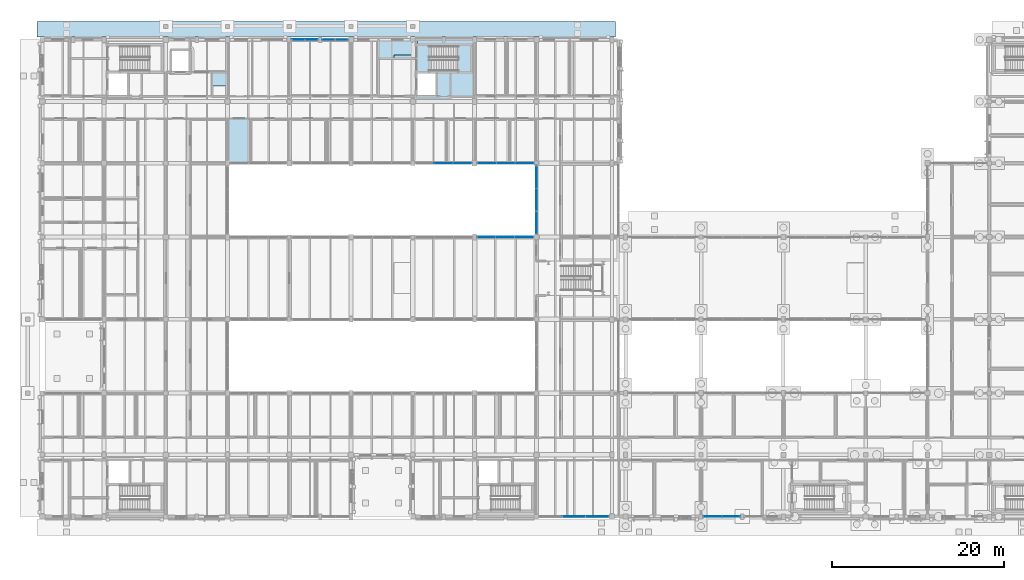
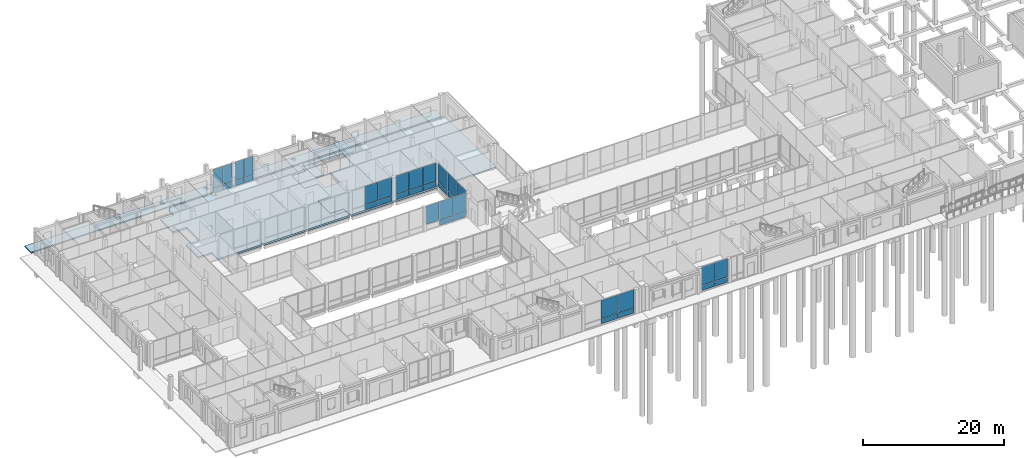
# One storey, part 65 of 104: 37 plates, 5 slabs, 9 elements without a shape of their own.
"""IFC4 building model written with IfcOpenShell, lengths in metres."""

from ifc_helpers import new_model, si_unit, direction, frame, origin, origin_2d, place, context, subcontext, project, spatial, polyline, rectangle, outline, extrude, material, layer, layer_set, type_object, element, aggregate, save


model = new_model("IFC4")

# Units and contexts
model_context = context("Model", 3, precision=1e-05, world=origin(), true_north=direction((0.0, 1.0)))
body_context = subcontext(model_context, "Body", "Model", "MODEL_VIEW")
ifc_project = project(units=[si_unit("LENGTHUNIT", "METRE"), si_unit("AREAUNIT", "SQUARE_METRE"), si_unit("VOLUMEUNIT", "CUBIC_METRE"), si_unit("PLANEANGLEUNIT", "RADIAN"), si_unit("MASSUNIT", "GRAM", prefix="KILO")], contexts=[model_context])

# Site, building, storey
site_placement = place(None, origin())
site = spatial("IfcSite", under=ifc_project, at=site_placement, CompositionType="ELEMENT")
building_placement = place(site_placement, origin())
building = spatial("IfcBuilding", under=site, at=building_placement, Name="Hawrajan Terrace Health Centre", CompositionType="ELEMENT")
storey_placement = place(building_placement, origin())
storey = spatial("IfcBuildingStorey", under=building, at=storey_placement, Name="L00", CompositionType="ELEMENT", Elevation=0.0)

# Curtain wall, plates
ifc_material_1 = material(Name="Anodized bronze aluminium and low-E solar glazing", Category="aluminium")
curtain_wall_type_1 = type_object("IfcCurtainWallType", Name="CW_Court_SeriesB2", PredefinedType="USERDEFINED", material=ifc_material_1)
curtain_wall_1_placement = place(storey_placement, origin())
curtain_wall_1 = element("IfcCurtainWall", 1, at=curtain_wall_1_placement, inside=storey, type_object=curtain_wall_type_1, Name="Curtain wall CW-L00-029", ObjectType="UNITISED CURTAIN WALL", PredefinedType="USERDEFINED")
ifc_material_2 = material(Name="Diffused north-light insulated glazing", Category="glass")
ifc_layer_1 = layer(ifc_material_2, 0.031982421875)
ifc_layer_set_1 = layer_set([ifc_layer_1], Name="Diffused north-light insulated glazing")
plate_type_1 = type_object("IfcPlateType", Name="ClerestoryGlassPanel_32", PredefinedType="CURTAIN_PANEL", material=ifc_layer_set_1)
plate_1_placement = place(storey_placement, frame((66.574951171875, 4.199951171875, 0.981689453125), z_axis=(0.0, 0.0, 1.0), x_axis=(1.0, 0.0, 0.0)))
plate_1 = element("IfcPlate", 2, at=plate_1_placement, type_object=plate_type_1, Name="Curtain panel CW-L00-029-P2-2", PredefinedType="CURTAIN_PANEL", context=body_context, shape_type="SweptSolid", body=[
    extrude(rectangle(XDim=2.662109375, YDim=0.031982421875, at=origin_2d()), origin(), (0.0, 0.0, 1.0), 3.1494140625),
])
plate_2_placement = place(storey_placement, frame((69.300048828125, 4.199951171875, 0.981689453125), z_axis=(0.0, 0.0, 1.0), x_axis=(1.0, 0.0, 0.0)))
plate_2 = element("IfcPlate", 3, at=plate_2_placement, type_object=plate_type_1, Name="Curtain panel CW-L00-029-P3-2", PredefinedType="CURTAIN_PANEL", context=body_context, shape_type="SweptSolid", body=[
    extrude(rectangle(XDim=2.662109375, YDim=0.031982421875, at=origin_2d()), origin(), (0.0, 0.0, 1.0), 3.1494140625),
])

curtain_wall_type_2 = type_object("IfcCurtainWallType", Name="CW_CourtNS_SeriesC2", PredefinedType="USERDEFINED", material=ifc_material_1)
curtain_wall_2_placement = place(storey_placement, origin())
curtain_wall_2 = element("IfcCurtainWall", 4, at=curtain_wall_2_placement, inside=storey, type_object=curtain_wall_type_2, Name="Curtain wall CW-L00-032", ObjectType="UNITISED CURTAIN WALL", PredefinedType="USERDEFINED")
plate_3_placement = place(storey_placement, frame((62.199951171875, 38.466796875, 0.981689453125), z_axis=(0.0, 0.0, 1.0), x_axis=(0.0, 1.0, 0.0)))
plate_3 = element("IfcPlate", 5, at=plate_3_placement, type_object=plate_type_1, Name="Curtain panel CW-L00-032-P1-2", PredefinedType="CURTAIN_PANEL", context=body_context, shape_type="SweptSolid", body=[
    extrude(rectangle(XDim=2.59521484375, YDim=0.031982421875, at=origin_2d()), origin(), (0.0, 0.0, 1.0), 3.1494140625),
])
plate_4_placement = place(storey_placement, frame((62.199951171875, 41.125, 0.981689453125), z_axis=(0.0, 0.0, 1.0), x_axis=(0.0, 1.0, 0.0)))
plate_4 = element("IfcPlate", 6, at=plate_4_placement, type_object=plate_type_1, Name="Curtain panel CW-L00-032-P2-2", PredefinedType="CURTAIN_PANEL", context=body_context, shape_type="SweptSolid", body=[
    extrude(rectangle(XDim=2.59521484375, YDim=0.031982421875, at=origin_2d()), origin(), (0.0, 0.0, 1.0), 3.1494140625),
])
plate_5_placement = place(storey_placement, frame((62.199951171875, 43.783203125, 0.981689453125), z_axis=(0.0, 0.0, 1.0), x_axis=(0.0, 1.0, 0.0)))
plate_5 = element("IfcPlate", 7, at=plate_5_placement, type_object=plate_type_1, Name="Curtain panel CW-L00-032-P3-2", PredefinedType="CURTAIN_PANEL", context=body_context, shape_type="SweptSolid", body=[
    extrude(rectangle(XDim=2.59521484375, YDim=0.031982421875, at=origin_2d()), origin(), (0.0, 0.0, 1.0), 3.1494140625),
])

# Slabs
ifc_material_3 = material(Name="Concrete C40/50", Category="concrete")
ifc_layer_2 = layer(ifc_material_3, 0.300048828125)
ifc_layer_set_2 = layer_set([ifc_layer_2], Name="Concrete C40/50")
slab_type_1 = type_object("IfcSlabType", Name="PodiumSlab_RC300", PredefinedType="FLOOR", material=ifc_layer_set_2)
slab_1_placement = place(storey_placement, frame((0.0, 0.0, -0.300048828125)))
element("IfcSlab", 8, at=slab_1_placement, inside=storey, type_object=slab_type_1, Name="Structural slab SL-L00-W-V2-Z1-1", PredefinedType="FLOOR", context=body_context, shape_type="SweptSolid", body=[
    extrude(outline(polyline([(26.47998046875, 59.52001953125), (26.47998046875, 59.800048828125), (33.39990234375, 59.800048828125), (33.39990234375, 59.25), (33.949951171875, 59.25), (33.949951171875, 59.800048828125), (40.60009765625, 59.800048828125), (40.60009765625, 59.52001953125), (40.8798828125, 59.52001953125), (40.8798828125, 59.800048828125), (47.800048828125, 59.800048828125), (47.800048828125, 59.25), (47.800048828125, 58.0), (45.60009765625, 58.0), (45.60009765625, 54.39990234375), (47.800048828125, 54.39990234375), (47.800048828125, 52.60009765625), (47.800048828125, 50.800048828125), (45.60009765625, 50.800048828125), (45.60009765625, 47.199951171875), (47.800048828125, 47.199951171875), (47.800048828125, 45.679931640625), (47.800048828125, 45.39990234375), (40.60009765625, 45.39990234375), (33.679931640625, 45.39990234375), (33.679931640625, 45.679931640625), (33.39990234375, 45.679931640625), (33.39990234375, 45.39990234375), (26.201904296875, 45.39990234375), (26.201904296875, 45.402099609375), (26.201904296875, 47.201904296875), (24.001953125, 47.201904296875), (24.001953125, 50.798095703125), (26.201904296875, 50.798095703125), (26.201904296875, 54.402099609375), (24.001953125, 54.402099609375), (24.001953125, 57.998046875), (26.201904296875, 57.998046875), (26.201904296875, 59.52001953125), (26.47998046875, 59.52001953125)])), origin(), (0.0, 0.0, 1.0), 0.300048828125),
])
slab_2_placement = place(storey_placement, frame((0.0, 0.0, -0.300048828125)))
element("IfcSlab", 9, at=slab_2_placement, inside=storey, type_object=slab_type_1, Name="Structural slab SL-L00-W-V2-Z2-1", PredefinedType="FLOOR", context=body_context, shape_type="SweptSolid", body=[
    extrude(outline(polyline([(48.35009765625, 59.25), (48.35009765625, 59.800048828125), (55.0, 59.800048828125), (55.0, 59.52001953125), (55.280029296875, 59.52001953125), (55.280029296875, 59.800048828125), (62.199951171875, 59.800048828125), (71.794921875, 59.800048828125), (71.794921875, 52.60009765625), (71.794921875, 45.402099609375), (62.47998046875, 45.402099609375), (62.47998046875, 45.679931640625), (62.199951171875, 45.679931640625), (62.199951171875, 45.402099609375), (62.197998046875, 45.402099609375), (62.197998046875, 45.39990234375), (55.0, 45.39990234375), (48.080078125, 45.39990234375), (48.080078125, 45.679931640625), (47.802001953125, 45.679931640625), (47.802001953125, 47.201904296875), (45.60205078125, 47.201904296875), (45.60205078125, 50.798095703125), (47.802001953125, 50.798095703125), (47.802001953125, 54.402099609375), (45.60205078125, 54.402099609375), (45.60205078125, 57.998046875), (47.802001953125, 57.998046875), (47.802001953125, 59.25), (48.35009765625, 59.25)]), holes=[polyline([(48.199951171875, 59.199951171875), (48.199951171875, 56.0), (48.199951171875, 53.199951171875), (50.60009765625, 53.199951171875), (50.60009765625, 56.0), (54.60009765625, 56.0), (54.60009765625, 59.199951171875), (48.199951171875, 59.199951171875)])]), origin(), (0.0, 0.0, 1.0), 0.300048828125),
])
ifc_layer_3 = layer(ifc_material_3, 0.199951171875)
ifc_layer_set_3 = layer_set([ifc_layer_3], Name="Concrete C40/50")
slab_type_2 = type_object("IfcSlabType", Name="SiteApronPaving_RC200", PredefinedType="BASESLAB", material=ifc_layer_set_3)
slab_3_placement = place(storey_placement, frame((0.0, 0.0, -0.199951171875)))
element("IfcSlab", 10, at=slab_3_placement, inside=storey, type_object=slab_type_2, Name="North-west colonnade arrival apron APRON-L00-NW", PredefinedType="BASESLAB", context=body_context, shape_type="SweptSolid", body=[
    extrude(outline(polyline([(4.0, 60.110107421875), (71.449951171875, 60.110107421875), (71.449951171875, 61.949951171875), (4.0, 61.949951171875), (4.0, 60.110107421875)]), holes=[polyline([(18.719970703125, 61.070068359375), (19.280029296875, 61.070068359375), (19.280029296875, 61.6298828125), (18.719970703125, 61.6298828125), (18.719970703125, 61.070068359375)]), polyline([(25.919921875, 61.070068359375), (26.47998046875, 61.070068359375), (26.47998046875, 61.6298828125), (25.919921875, 61.6298828125), (25.919921875, 61.070068359375)]), polyline([(33.1201171875, 61.070068359375), (33.679931640625, 61.070068359375), (33.679931640625, 61.6298828125), (33.1201171875, 61.6298828125), (33.1201171875, 61.070068359375)]), polyline([(40.320068359375, 61.070068359375), (40.8798828125, 61.070068359375), (40.8798828125, 61.6298828125), (40.320068359375, 61.6298828125), (40.320068359375, 61.070068359375)]), polyline([(47.52001953125, 61.070068359375), (48.080078125, 61.070068359375), (48.080078125, 61.6298828125), (47.52001953125, 61.6298828125), (47.52001953125, 61.070068359375)])]), origin(), (0.0, 0.0, 1.0), 0.199951171875),
])

# Curtain wall, plates
curtain_wall_type_3 = type_object("IfcCurtainWallType", Name="CW_Clerestory_SeriesG1", PredefinedType="USERDEFINED", material=ifc_material_1)
curtain_wall_3_placement = place(storey_placement, origin())
curtain_wall_3 = element("IfcCurtainWall", 11, at=curtain_wall_3_placement, inside=storey, type_object=curtain_wall_type_3, Name="Curtain wall CW-L00-016", ObjectType="UNITISED CURTAIN WALL", PredefinedType="USERDEFINED")
ifc_material_4 = material(Name="Insulated anodized bronze spandrel panel")
ifc_layer_4 = layer(ifc_material_4, 0.048095703125)
ifc_layer_set_4 = layer_set([ifc_layer_4], Name="Insulated anodized bronze spandrel panel")
plate_type_2 = type_object("IfcPlateType", Name="SpandrelPanel_Bronze48", PredefinedType="CURTAIN_PANEL", material=ifc_layer_set_4)
plate_6_placement = place(storey_placement, frame((37.9912109375, 59.800048828125, 0.05908203125), z_axis=(0.0, 0.0, 1.0), x_axis=(1.0, 0.0, 0.0)))
plate_6 = element("IfcPlate", 12, at=plate_6_placement, type_object=plate_type_2, Name="Curtain panel CW-L00-016-P1-1", PredefinedType="CURTAIN_PANEL", context=body_context, shape_type="SweptSolid", body=[
    extrude(rectangle(XDim=1.464599609375, YDim=0.048095703125, at=origin_2d()), origin(), (0.0, 0.0, 1.0), 0.864501953125),
])
plate_7_placement = place(storey_placement, frame((39.5087890625, 59.800048828125, 0.05908203125), z_axis=(0.0, 0.0, 1.0), x_axis=(1.0, 0.0, 0.0)))
plate_7 = element("IfcPlate", 13, at=plate_7_placement, type_object=plate_type_2, Name="Curtain panel CW-L00-016-P2-1", PredefinedType="CURTAIN_PANEL", context=body_context, shape_type="SweptSolid", body=[
    extrude(rectangle(XDim=1.464599609375, YDim=0.048095703125, at=origin_2d()), origin(), (0.0, 0.0, 1.0), 0.864501953125),
])

curtain_wall_type_4 = type_object("IfcCurtainWallType", Name="CW_Diagnostic_SeriesM2", PredefinedType="USERDEFINED", material=ifc_material_1)
curtain_wall_4_placement = place(storey_placement, origin())
curtain_wall_4 = element("IfcCurtainWall", 14, at=curtain_wall_4_placement, inside=storey, type_object=curtain_wall_type_4, Name="Curtain wall CW-L00-024", ObjectType="UNITISED CURTAIN WALL", PredefinedType="USERDEFINED")
plate_8_placement = place(storey_placement, frame((51.375, 45.39990234375, 0.05908203125), z_axis=(0.0, 0.0, 1.0), x_axis=(1.0, 0.0, 0.0)))
plate_8 = element("IfcPlate", 15, at=plate_8_placement, type_object=plate_type_2, Name="Curtain panel CW-L00-024-P2-1", PredefinedType="CURTAIN_PANEL", context=body_context, shape_type="SweptSolid", body=[
    extrude(rectangle(XDim=2.14208984375, YDim=0.048095703125, at=origin_2d()), origin(), (0.0, 0.0, 1.0), 0.864501953125),
])
plate_9_placement = place(storey_placement, frame((53.570068359375, 45.39990234375, 0.05908203125), z_axis=(0.0, 0.0, 1.0), x_axis=(1.0, 0.0, 0.0)))
plate_9 = element("IfcPlate", 16, at=plate_9_placement, type_object=plate_type_2, Name="Curtain panel CW-L00-024-P3-1", PredefinedType="CURTAIN_PANEL", context=body_context, shape_type="SweptSolid", body=[
    extrude(rectangle(XDim=2.14208984375, YDim=0.048095703125, at=origin_2d()), origin(), (0.0, 0.0, 1.0), 0.864501953125),
])

curtain_wall_type_5 = type_object("IfcCurtainWallType", Name="CW_Court_SeriesB1", PredefinedType="USERDEFINED", material=ifc_material_1)
curtain_wall_5_placement = place(storey_placement, origin())
curtain_wall_5 = element("IfcCurtainWall", 17, at=curtain_wall_5_placement, inside=storey, type_object=curtain_wall_type_5, Name="Curtain wall CW-L00-028", ObjectType="UNITISED CURTAIN WALL", PredefinedType="USERDEFINED")
plate_10_placement = place(storey_placement, frame((56.429931640625, 45.39990234375, 0.05908203125), z_axis=(0.0, 0.0, 1.0), x_axis=(1.0, 0.0, 0.0)))
plate_10 = element("IfcPlate", 18, at=plate_10_placement, type_object=plate_type_2, Name="Curtain panel CW-L00-028-P1-1", PredefinedType="CURTAIN_PANEL", context=body_context, shape_type="SweptSolid", body=[
    extrude(rectangle(XDim=2.14208984375, YDim=0.048095703125, at=origin_2d()), origin(), (0.0, 0.0, 1.0), 0.864501953125),
])
plate_11_placement = place(storey_placement, frame((58.625, 45.39990234375, 0.05908203125), z_axis=(0.0, 0.0, 1.0), x_axis=(1.0, 0.0, 0.0)))
plate_11 = element("IfcPlate", 19, at=plate_11_placement, type_object=plate_type_2, Name="Curtain panel CW-L00-028-P2-1", PredefinedType="CURTAIN_PANEL", context=body_context, shape_type="SweptSolid", body=[
    extrude(rectangle(XDim=2.14208984375, YDim=0.048095703125, at=origin_2d()), origin(), (0.0, 0.0, 1.0), 0.864501953125),
])
plate_12_placement = place(storey_placement, frame((60.820068359375, 45.39990234375, 0.05908203125), z_axis=(0.0, 0.0, 1.0), x_axis=(1.0, 0.0, 0.0)))
plate_12 = element("IfcPlate", 20, at=plate_12_placement, type_object=plate_type_2, Name="Curtain panel CW-L00-028-P3-1", PredefinedType="CURTAIN_PANEL", context=body_context, shape_type="SweptSolid", body=[
    extrude(rectangle(XDim=2.14208984375, YDim=0.048095703125, at=origin_2d()), origin(), (0.0, 0.0, 1.0), 0.864501953125),
])

# Plate
plate_13_placement = place(storey_placement, frame((62.199951171875, 38.466796875, 0.06884765625), z_axis=(0.0, 0.0, 1.0), x_axis=(0.0, 1.0, 0.0)))
plate_13 = element("IfcPlate", 21, at=plate_13_placement, type_object=plate_type_2, Name="Curtain panel CW-L00-032-P1-1", PredefinedType="CURTAIN_PANEL", context=body_context, shape_type="SweptSolid", body=[
    extrude(rectangle(XDim=2.59521484375, YDim=0.048095703125, at=origin_2d()), origin(), (0.0, 0.0, 1.0), 0.849609375),
])

plate_14_placement = place(storey_placement, frame((62.199951171875, 41.125, 0.06884765625), z_axis=(0.0, 0.0, 1.0), x_axis=(0.0, 1.0, 0.0)))
plate_14 = element("IfcPlate", 22, at=plate_14_placement, type_object=plate_type_2, Name="Curtain panel CW-L00-032-P2-1", PredefinedType="CURTAIN_PANEL", context=body_context, shape_type="SweptSolid", body=[
    extrude(rectangle(XDim=2.59521484375, YDim=0.048095703125, at=origin_2d()), origin(), (0.0, 0.0, 1.0), 0.849609375),
])

plate_15_placement = place(storey_placement, frame((62.199951171875, 43.783203125, 0.06884765625), z_axis=(0.0, 0.0, 1.0), x_axis=(0.0, 1.0, 0.0)))
plate_15 = element("IfcPlate", 23, at=plate_15_placement, type_object=plate_type_2, Name="Curtain panel CW-L00-032-P3-1", PredefinedType="CURTAIN_PANEL", context=body_context, shape_type="SweptSolid", body=[
    extrude(rectangle(XDim=2.59521484375, YDim=0.048095703125, at=origin_2d()), origin(), (0.0, 0.0, 1.0), 0.849609375),
])

aggregate(curtain_wall_2, [plate_13, plate_3, plate_14, plate_4, plate_15, plate_5])

# Curtain wall, plates
curtain_wall_type_6 = type_object("IfcCurtainWallType", Name="CW_Garden_SeriesF2", PredefinedType="USERDEFINED", material=ifc_material_1)
curtain_wall_6_placement = place(storey_placement, origin())
curtain_wall_6 = element("IfcCurtainWall", 24, at=curtain_wall_6_placement, inside=storey, type_object=curtain_wall_type_6, Name="Curtain wall CW-L00-015", ObjectType="UNITISED CURTAIN WALL", PredefinedType="USERDEFINED")
ifc_material_5 = material(Name="Insulated reconstituted coral-stone spandrel", Category="masonry")
ifc_layer_5 = layer(ifc_material_5, 0.055908203125)
ifc_layer_set_5 = layer_set([ifc_layer_5], Name="Insulated reconstituted coral-stone spandrel")
plate_type_3 = type_object("IfcPlateType", Name="SpandrelPanel_Coral56", PredefinedType="CURTAIN_PANEL", material=ifc_layer_set_5)
plate_16_placement = place(storey_placement, frame((34.45361328125, 59.800048828125, 0.05908203125), z_axis=(0.0, 0.0, 1.0), x_axis=(1.0, 0.0, 0.0)))
plate_16 = element("IfcPlate", 25, at=plate_16_placement, type_object=plate_type_3, Name="Curtain panel CW-L00-015-P1-1", PredefinedType="CURTAIN_PANEL", context=body_context, shape_type="SweptSolid", body=[
    extrude(rectangle(XDim=1.489501953125, YDim=0.055908203125, at=origin_2d()), origin(), (0.0, 0.0, 1.0), 0.864501953125),
])
plate_17_placement = place(storey_placement, frame((35.99609375, 59.800048828125, 0.05908203125), z_axis=(0.0, 0.0, 1.0), x_axis=(1.0, 0.0, 0.0)))
plate_17 = element("IfcPlate", 26, at=plate_17_placement, type_object=plate_type_3, Name="Curtain panel CW-L00-015-P2-1", PredefinedType="CURTAIN_PANEL", context=body_context, shape_type="SweptSolid", body=[
    extrude(rectangle(XDim=1.489501953125, YDim=0.055908203125, at=origin_2d()), origin(), (0.0, 0.0, 1.0), 0.864501953125),
])

curtain_wall_type_7 = type_object("IfcCurtainWallType", Name="CW_Court_SeriesA3", PredefinedType="USERDEFINED", material=ifc_material_1)
curtain_wall_7_placement = place(storey_placement, origin())
curtain_wall_7 = element("IfcCurtainWall", 27, at=curtain_wall_7_placement, inside=storey, type_object=curtain_wall_type_7, Name="Curtain wall CW-L00-027", ObjectType="UNITISED CURTAIN WALL", PredefinedType="USERDEFINED")
plate_18_placement = place(storey_placement, frame((58.5625, 36.800048828125, 0.05908203125), z_axis=(0.0, 0.0, 1.0), x_axis=(1.0, 0.0, 0.0)))
plate_18 = element("IfcPlate", 28, at=plate_18_placement, type_object=plate_type_3, Name="Curtain panel CW-L00-027-P2-1", PredefinedType="CURTAIN_PANEL", context=body_context, shape_type="SweptSolid", body=[
    extrude(rectangle(XDim=2.150390625, YDim=0.055908203125, at=origin_2d()), origin(), (0.0, 0.0, 1.0), 0.864501953125),
])
plate_19_placement = place(storey_placement, frame((60.765869140625, 36.800048828125, 0.05908203125), z_axis=(0.0, 0.0, 1.0), x_axis=(1.0, 0.0, 0.0)))
plate_19 = element("IfcPlate", 29, at=plate_19_placement, type_object=plate_type_3, Name="Curtain panel CW-L00-027-P3-1", PredefinedType="CURTAIN_PANEL", context=body_context, shape_type="SweptSolid", body=[
    extrude(rectangle(XDim=2.150390625, YDim=0.055908203125, at=origin_2d()), origin(), (0.0, 0.0, 1.0), 0.864501953125),
])

# Plate
plate_20_placement = place(storey_placement, frame((66.574951171875, 4.199951171875, 0.06884765625), z_axis=(0.0, 0.0, 1.0), x_axis=(1.0, 0.0, 0.0)))
plate_20 = element("IfcPlate", 30, at=plate_20_placement, type_object=plate_type_3, Name="Curtain panel CW-L00-029-P2-1", PredefinedType="CURTAIN_PANEL", context=body_context, shape_type="SweptSolid", body=[
    extrude(rectangle(XDim=2.662109375, YDim=0.055908203125, at=origin_2d()), origin(), (0.0, 0.0, 1.0), 0.849609375),
])

plate_21_placement = place(storey_placement, frame((69.300048828125, 4.199951171875, 0.06884765625), z_axis=(0.0, 0.0, 1.0), x_axis=(1.0, 0.0, 0.0)))
plate_21 = element("IfcPlate", 31, at=plate_21_placement, type_object=plate_type_3, Name="Curtain panel CW-L00-029-P3-1", PredefinedType="CURTAIN_PANEL", context=body_context, shape_type="SweptSolid", body=[
    extrude(rectangle(XDim=2.662109375, YDim=0.055908203125, at=origin_2d()), origin(), (0.0, 0.0, 1.0), 0.849609375),
])

aggregate(curtain_wall_1, [plate_20, plate_1, plate_21, plate_2])

# Curtain wall, plates
curtain_wall_type_8 = type_object("IfcCurtainWallType", Name="CW_Pavilion_SeriesE2", PredefinedType="USERDEFINED", material=ifc_material_1)
curtain_wall_8_placement = place(storey_placement, origin())
curtain_wall_8 = element("IfcCurtainWall", 32, at=curtain_wall_8_placement, inside=storey, type_object=curtain_wall_type_8, Name="Curtain wall CW-L00-037", ObjectType="UNITISED CURTAIN WALL", PredefinedType="USERDEFINED")
plate_22_placement = place(storey_placement, frame((82.75390625, 4.199951171875, 0.05908203125), z_axis=(0.0, 0.0, 1.0), x_axis=(1.0, 0.0, 0.0)))
plate_22 = element("IfcPlate", 33, at=plate_22_placement, type_object=plate_type_3, Name="Curtain panel CW-L00-037-P1-1", PredefinedType="CURTAIN_PANEL", context=body_context, shape_type="SweptSolid", body=[
    extrude(rectangle(XDim=2.089599609375, YDim=0.055908203125, at=origin_2d()), origin(), (0.0, 0.0, 1.0), 0.864501953125),
])
plate_23_placement = place(storey_placement, frame((84.896240234375, 4.199951171875, 0.05908203125), z_axis=(0.0, 0.0, 1.0), x_axis=(1.0, 0.0, 0.0)))
plate_23 = element("IfcPlate", 34, at=plate_23_placement, type_object=plate_type_3, Name="Curtain panel CW-L00-037-P2-1", PredefinedType="CURTAIN_PANEL", context=body_context, shape_type="SweptSolid", body=[
    extrude(rectangle(XDim=2.089599609375, YDim=0.055908203125, at=origin_2d()), origin(), (0.0, 0.0, 1.0), 0.864501953125),
])

# Stair, slabs
stair_type = type_object("IfcStairType", Name="Stair_4500_W1300", PredefinedType="HALF_TURN_STAIR", material=ifc_material_3)
stair_placement = place(storey_placement, origin())
stair = element("IfcStair", 35, at=stair_placement, inside=storey, type_object=stair_type, Name="Stair ST-2-L00", PredefinedType="HALF_TURN_STAIR")
ifc_layer_6 = layer(ifc_material_3, 0.219970703125)
ifc_layer_set_6 = layer_set([ifc_layer_6], Name="Concrete C40/50")
slab_type_3 = type_object("IfcSlabType", Name="StairLanding_RC220", PredefinedType="LANDING", material=ifc_layer_set_6)
slab_4_placement = place(storey_placement, frame((0.0, 0.0, -0.219970703125)))
slab_4 = element("IfcSlab", 36, at=slab_4_placement, type_object=slab_type_3, Name="Stair floor landing ST-2-L00-L0", PredefinedType="LANDING", context=body_context, shape_type="SweptSolid", body=[
    extrude(outline(polyline([(48.199951171875, 56.0), (49.699951171875, 56.0), (49.699951171875, 59.199951171875), (48.199951171875, 59.199951171875), (48.199951171875, 56.0)])), origin(), (0.0, 0.0, 1.0), 0.219970703125),
])
slab_5_placement = place(storey_placement, frame((0.0, 0.0, 2.030029296875)))
slab_5 = element("IfcSlab", 37, at=slab_5_placement, type_object=slab_type_3, Name="Stair half landing ST-2-L00-L1", PredefinedType="LANDING", context=body_context, shape_type="SweptSolid", body=[
    extrude(outline(polyline([(53.10009765625, 56.0), (54.60009765625, 56.0), (54.60009765625, 59.199951171875), (53.10009765625, 59.199951171875), (53.10009765625, 56.0)])), origin(), (0.0, 0.0, 1.0), 0.219970703125),
])
aggregate(stair, [slab_4, slab_5])

# Plate
ifc_material_6 = material(Name="Double-glazed solar control low-E glass", Category="glass")
ifc_layer_7 = layer(ifc_material_6, 0.028076171875)
ifc_layer_set_7 = layer_set([ifc_layer_7], Name="Double-glazed solar control low-E glass")
plate_type_4 = type_object("IfcPlateType", Name="VisionGlassPanel_28", PredefinedType="CURTAIN_PANEL", material=ifc_layer_set_7)
plate_24_placement = place(storey_placement, frame((34.45361328125, 59.800048828125, 0.9765625), z_axis=(0.0, 0.0, 1.0), x_axis=(1.0, 0.0, 0.0)))
plate_24 = element("IfcPlate", 38, at=plate_24_placement, type_object=plate_type_4, Name="Curtain panel CW-L00-015-P1-2", PredefinedType="CURTAIN_PANEL", context=body_context, shape_type="SweptSolid", body=[
    extrude(rectangle(XDim=1.489501953125, YDim=0.028076171875, at=origin_2d()), origin(), (0.0, 0.0, 1.0), 3.16455078125),
])

plate_25_placement = place(storey_placement, frame((35.99609375, 59.800048828125, 0.9765625), z_axis=(0.0, 0.0, 1.0), x_axis=(1.0, 0.0, 0.0)))
plate_25 = element("IfcPlate", 39, at=plate_25_placement, type_object=plate_type_4, Name="Curtain panel CW-L00-015-P2-2", PredefinedType="CURTAIN_PANEL", context=body_context, shape_type="SweptSolid", body=[
    extrude(rectangle(XDim=1.489501953125, YDim=0.028076171875, at=origin_2d()), origin(), (0.0, 0.0, 1.0), 3.16455078125),
])

aggregate(curtain_wall_6, [plate_16, plate_24, plate_17, plate_25])

plate_26_placement = place(storey_placement, frame((51.375, 45.39990234375, 0.9765625), z_axis=(0.0, 0.0, 1.0), x_axis=(1.0, 0.0, 0.0)))
plate_26 = element("IfcPlate", 40, at=plate_26_placement, type_object=plate_type_4, Name="Curtain panel CW-L00-024-P2-2", PredefinedType="CURTAIN_PANEL", context=body_context, shape_type="SweptSolid", body=[
    extrude(rectangle(XDim=2.14208984375, YDim=0.028076171875, at=origin_2d()), origin(), (0.0, 0.0, 1.0), 3.16455078125),
])

plate_27_placement = place(storey_placement, frame((53.570068359375, 45.39990234375, 0.9765625), z_axis=(0.0, 0.0, 1.0), x_axis=(1.0, 0.0, 0.0)))
plate_27 = element("IfcPlate", 41, at=plate_27_placement, type_object=plate_type_4, Name="Curtain panel CW-L00-024-P3-2", PredefinedType="CURTAIN_PANEL", context=body_context, shape_type="SweptSolid", body=[
    extrude(rectangle(XDim=2.14208984375, YDim=0.028076171875, at=origin_2d()), origin(), (0.0, 0.0, 1.0), 3.16455078125),
])

aggregate(curtain_wall_4, [plate_8, plate_26, plate_9, plate_27])

plate_28_placement = place(storey_placement, frame((56.359130859375, 36.800048828125, 0.9765625), z_axis=(0.0, 0.0, 1.0), x_axis=(1.0, 0.0, 0.0)))
plate_28 = element("IfcPlate", 42, at=plate_28_placement, type_object=plate_type_4, Name="Curtain panel CW-L00-027-P1-2", PredefinedType="CURTAIN_PANEL", context=body_context, shape_type="SweptSolid", body=[
    extrude(rectangle(XDim=2.150390625, YDim=0.028076171875, at=origin_2d()), origin(), (0.0, 0.0, 1.0), 3.16455078125),
])

plate_29_placement = place(storey_placement, frame((58.5625, 36.800048828125, 0.9765625), z_axis=(0.0, 0.0, 1.0), x_axis=(1.0, 0.0, 0.0)))
plate_29 = element("IfcPlate", 43, at=plate_29_placement, type_object=plate_type_4, Name="Curtain panel CW-L00-027-P2-2", PredefinedType="CURTAIN_PANEL", context=body_context, shape_type="SweptSolid", body=[
    extrude(rectangle(XDim=2.150390625, YDim=0.028076171875, at=origin_2d()), origin(), (0.0, 0.0, 1.0), 3.16455078125),
])

plate_30_placement = place(storey_placement, frame((60.765869140625, 36.800048828125, 0.9765625), z_axis=(0.0, 0.0, 1.0), x_axis=(1.0, 0.0, 0.0)))
plate_30 = element("IfcPlate", 44, at=plate_30_placement, type_object=plate_type_4, Name="Curtain panel CW-L00-027-P3-2", PredefinedType="CURTAIN_PANEL", context=body_context, shape_type="SweptSolid", body=[
    extrude(rectangle(XDim=2.150390625, YDim=0.028076171875, at=origin_2d()), origin(), (0.0, 0.0, 1.0), 3.16455078125),
])

aggregate(curtain_wall_7, [plate_28, plate_18, plate_29, plate_19, plate_30])

ifc_material_7 = material(Name="Triple-glazed solar acoustic low-E glass", Category="glass")
ifc_layer_8 = layer(ifc_material_7, 0.035888671875)
ifc_layer_set_8 = layer_set([ifc_layer_8], Name="Triple-glazed solar acoustic low-E glass")
plate_type_5 = type_object("IfcPlateType", Name="VisionGlassPanel_36", PredefinedType="CURTAIN_PANEL", material=ifc_layer_set_8)
plate_31_placement = place(storey_placement, frame((37.9912109375, 59.800048828125, 0.9765625), z_axis=(0.0, 0.0, 1.0), x_axis=(1.0, 0.0, 0.0)))
plate_31 = element("IfcPlate", 45, at=plate_31_placement, type_object=plate_type_5, Name="Curtain panel CW-L00-016-P1-2", PredefinedType="CURTAIN_PANEL", context=body_context, shape_type="SweptSolid", body=[
    extrude(rectangle(XDim=1.464599609375, YDim=0.035888671875, at=origin_2d()), origin(), (0.0, 0.0, 1.0), 3.16455078125),
])

plate_32_placement = place(storey_placement, frame((39.5087890625, 59.800048828125, 0.9765625), z_axis=(0.0, 0.0, 1.0), x_axis=(1.0, 0.0, 0.0)))
plate_32 = element("IfcPlate", 46, at=plate_32_placement, type_object=plate_type_5, Name="Curtain panel CW-L00-016-P2-2", PredefinedType="CURTAIN_PANEL", context=body_context, shape_type="SweptSolid", body=[
    extrude(rectangle(XDim=1.464599609375, YDim=0.035888671875, at=origin_2d()), origin(), (0.0, 0.0, 1.0), 3.16455078125),
])

aggregate(curtain_wall_3, [plate_6, plate_31, plate_7, plate_32])

plate_33_placement = place(storey_placement, frame((56.429931640625, 45.39990234375, 0.9765625), z_axis=(0.0, 0.0, 1.0), x_axis=(1.0, 0.0, 0.0)))
plate_33 = element("IfcPlate", 47, at=plate_33_placement, type_object=plate_type_5, Name="Curtain panel CW-L00-028-P1-2", PredefinedType="CURTAIN_PANEL", context=body_context, shape_type="SweptSolid", body=[
    extrude(rectangle(XDim=2.14208984375, YDim=0.035888671875, at=origin_2d()), origin(), (0.0, 0.0, 1.0), 3.16455078125),
])

plate_34_placement = place(storey_placement, frame((58.625, 45.39990234375, 0.9765625), z_axis=(0.0, 0.0, 1.0), x_axis=(1.0, 0.0, 0.0)))
plate_34 = element("IfcPlate", 48, at=plate_34_placement, type_object=plate_type_5, Name="Curtain panel CW-L00-028-P2-2", PredefinedType="CURTAIN_PANEL", context=body_context, shape_type="SweptSolid", body=[
    extrude(rectangle(XDim=2.14208984375, YDim=0.035888671875, at=origin_2d()), origin(), (0.0, 0.0, 1.0), 3.16455078125),
])

plate_35_placement = place(storey_placement, frame((60.820068359375, 45.39990234375, 0.9765625), z_axis=(0.0, 0.0, 1.0), x_axis=(1.0, 0.0, 0.0)))
plate_35 = element("IfcPlate", 49, at=plate_35_placement, type_object=plate_type_5, Name="Curtain panel CW-L00-028-P3-2", PredefinedType="CURTAIN_PANEL", context=body_context, shape_type="SweptSolid", body=[
    extrude(rectangle(XDim=2.14208984375, YDim=0.035888671875, at=origin_2d()), origin(), (0.0, 0.0, 1.0), 3.16455078125),
])

aggregate(curtain_wall_5, [plate_10, plate_33, plate_11, plate_34, plate_12, plate_35])

plate_36_placement = place(storey_placement, frame((82.75390625, 4.199951171875, 0.9765625), z_axis=(0.0, 0.0, 1.0), x_axis=(1.0, 0.0, 0.0)))
plate_36 = element("IfcPlate", 50, at=plate_36_placement, type_object=plate_type_5, Name="Curtain panel CW-L00-037-P1-2", PredefinedType="CURTAIN_PANEL", context=body_context, shape_type="SweptSolid", body=[
    extrude(rectangle(XDim=2.089599609375, YDim=0.035888671875, at=origin_2d()), origin(), (0.0, 0.0, 1.0), 3.16455078125),
])

plate_37_placement = place(storey_placement, frame((84.896240234375, 4.199951171875, 0.9765625), z_axis=(0.0, 0.0, 1.0), x_axis=(1.0, 0.0, 0.0)))
plate_37 = element("IfcPlate", 51, at=plate_37_placement, type_object=plate_type_5, Name="Curtain panel CW-L00-037-P2-2", PredefinedType="CURTAIN_PANEL", context=body_context, shape_type="SweptSolid", body=[
    extrude(rectangle(XDim=2.089599609375, YDim=0.035888671875, at=origin_2d()), origin(), (0.0, 0.0, 1.0), 3.16455078125),
])

aggregate(curtain_wall_8, [plate_22, plate_36, plate_23, plate_37])

save(model, "model.ifc")
